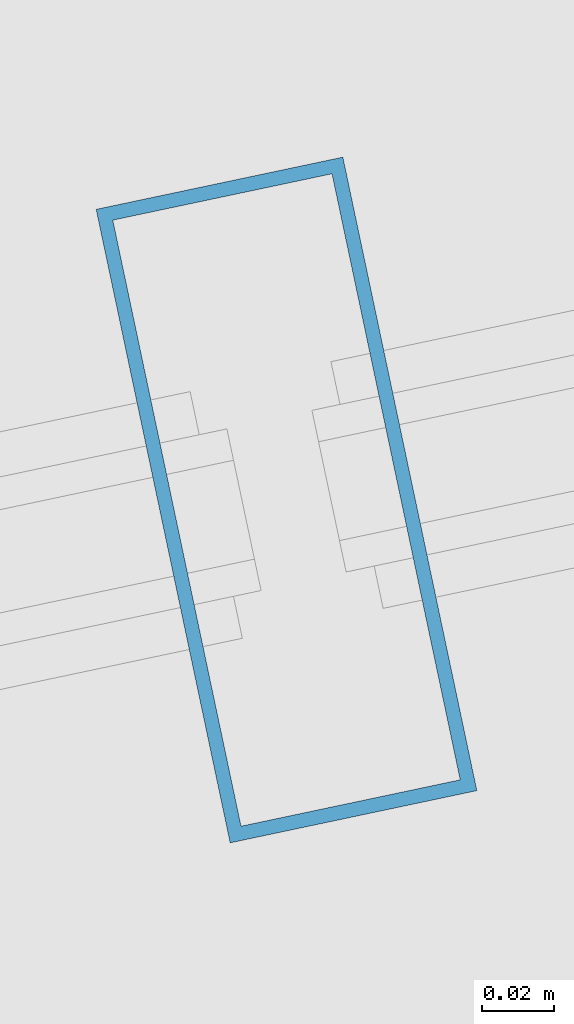
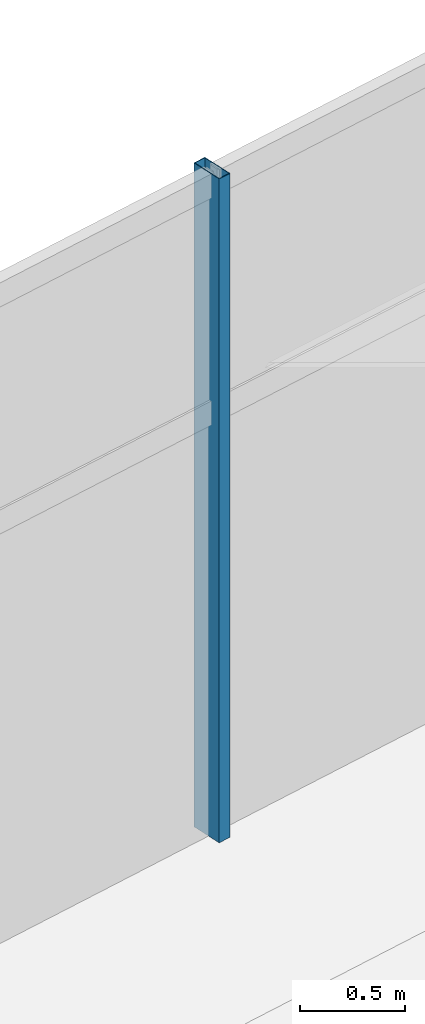
# One storey, part 77 of 156: 1 member, 1 element without a shape of its own.
"""IFC4 building model written with IfcOpenShell, lengths in metres."""

from ifc_helpers import new_model, si_unit, direction, frame, origin, origin_2d, place, context, subcontext, project, spatial, hollow_rectangle, extrude, material, layer, layer_set, material_profile, profile_set, type_object, element, aggregate, save


model = new_model("IFC4")

# Units and contexts
model_context = context("Model", 3, precision=1e-05, world=origin(), true_north=direction((0.0, 1.0)))
body_context = subcontext(model_context, "Body", "Model", "MODEL_VIEW")
ifc_project = project(units=[si_unit("LENGTHUNIT", "METRE"), si_unit("AREAUNIT", "SQUARE_METRE"), si_unit("VOLUMEUNIT", "CUBIC_METRE"), si_unit("PLANEANGLEUNIT", "RADIAN"), si_unit("MASSUNIT", "GRAM", prefix="KILO")], contexts=[model_context])

# Site, building, storey
site_placement = place(None, origin())
site = spatial("IfcSite", under=ifc_project, at=site_placement, CompositionType="ELEMENT")
building_placement = place(site_placement, origin())
building = spatial("IfcBuilding", under=site, at=building_placement, Name="Kazemori Nagisa Stadium", CompositionType="ELEMENT")
storey_placement = place(building_placement, frame((0.0, 0.0, 5.780029296875)))
storey = spatial("IfcBuildingStorey", under=building, at=storey_placement, Name="L01", CompositionType="ELEMENT", Elevation=5.780029296875)

# Curtain wall, member
ifc_material_1 = material(Name="Anodised aluminium 6063-T5", Category="aluminium")
ifc_layer = layer(ifc_material_1, 0.179931640625, Name="Anodised aluminium 6063-T5", Category="aluminium")
ifc_layer_set = layer_set([ifc_layer], Name="Anodised aluminium 6063-T5")
curtain_wall_type = type_object("IfcCurtainWallType", Name="CW_L01R3_105", PredefinedType="USERDEFINED", material=ifc_layer_set)
curtain_wall_placement = place(storey_placement, origin())
curtain_wall = element("IfcCurtainWall", 1, at=curtain_wall_placement, inside=storey, type_object=curtain_wall_type, Name="Unitised curtain wall CW-L01R3-105 L01", ObjectType="UNITISED CURTAIN WALL", PredefinedType="USERDEFINED")
ifc_material_2 = material(Name="Aluminium 6063-T5 anodised", Category="aluminium")
ifc_material_profile = material_profile(ifc_material_2, hollow_rectangle(XDim=0.070068359375, YDim=0.179931640625, WallThickness=0.00390625, at=origin_2d()), Name="ALU-MULL-70x180x4")
ifc_profile_set = profile_set([ifc_material_profile], Name="Aluminium 6063-T5 anodised")
member_type = type_object("IfcMemberType", Name="Mullion_M01", PredefinedType="MULLION", material=ifc_profile_set)
member_placement = place(storey_placement, frame((87.475830078125, 184.004638671875, 0.0), z_axis=(0.0, 0.0, 1.0), x_axis=(-0.978344955407, -0.206981033502, 0.0)))
member = element("IfcMember", 2, at=member_placement, type_object=member_type, Name="Curtain wall mullion CW-L01R3-105-M3", PredefinedType="MULLION", context=body_context, shape_type="SweptSolid", body=[
    extrude(hollow_rectangle(XDim=0.070068359375, YDim=0.179931640625, WallThickness=0.00390625, at=origin_2d()), origin(), (0.0, 0.0, 1.0), 3.849853515625),
])
aggregate(curtain_wall, [member])

save(model, "model.ifc")
